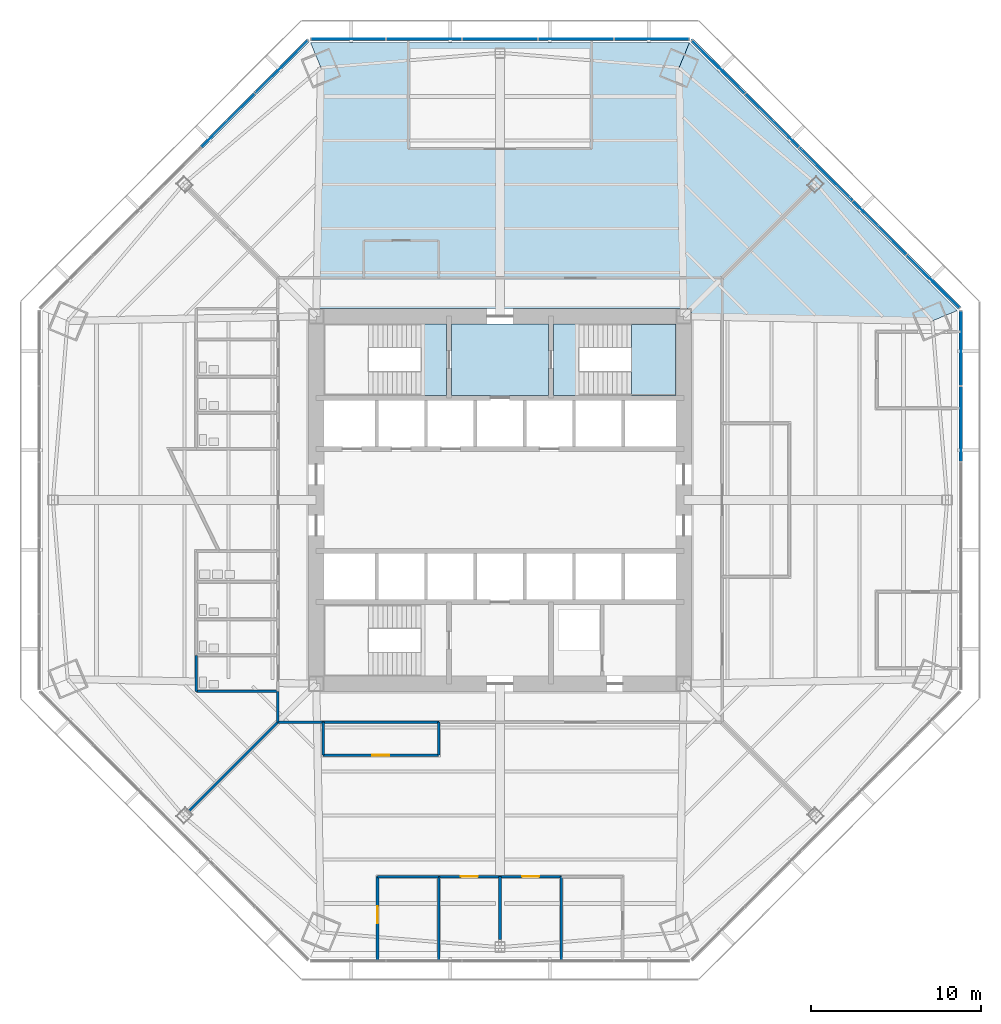
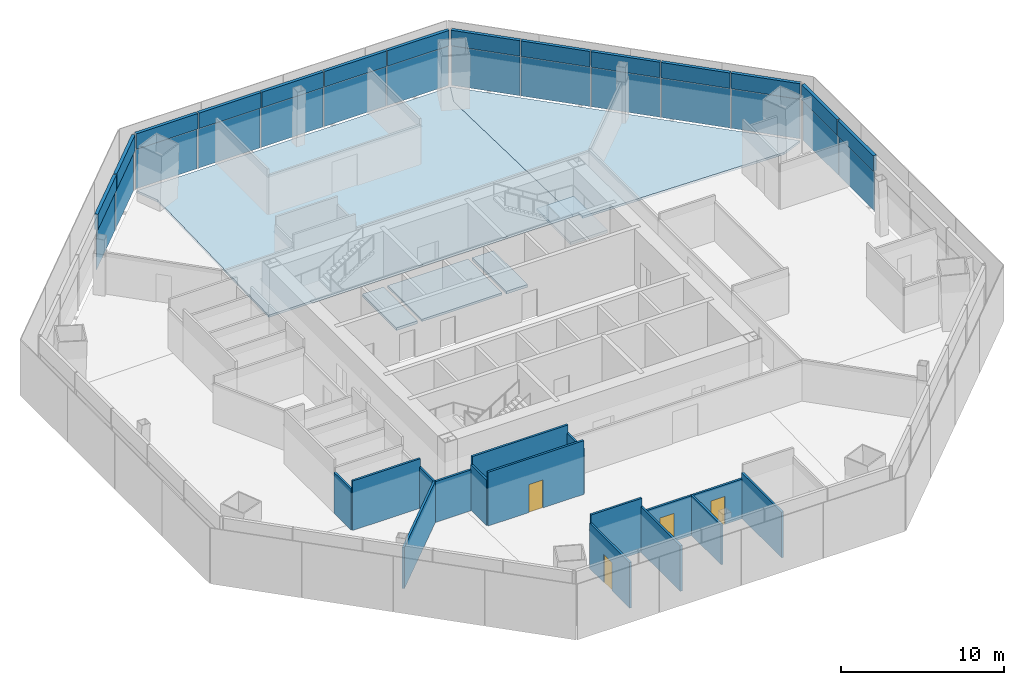
# One storey, part 8 of 14: 28 plates, 15 walls, 6 slabs, 4 doors, 4 openings, 6 elements without a shape of their own.
"""IFC4 building model written with IfcOpenShell, lengths in metres."""

from ifc_helpers import new_model, si_unit, direction, frame, frame_2d, origin, origin_2d, place, context, subcontext, project, spatial, polyline, rectangle, outline, extrude, source, transform, mapped, material, layer, layer_set, type_object, type_shapes, element, fill, aggregate, save


model = new_model("IFC4")

# Units and contexts
model_context = context("Model", 3, precision=1e-05, world=origin(), true_north=direction((0.0, 1.0)))
body_context = subcontext(model_context, "Body", "Model", "MODEL_VIEW")
ifc_project = project(units=[si_unit("LENGTHUNIT", "METRE"), si_unit("AREAUNIT", "SQUARE_METRE"), si_unit("VOLUMEUNIT", "CUBIC_METRE"), si_unit("PLANEANGLEUNIT", "RADIAN"), si_unit("MASSUNIT", "GRAM", prefix="KILO")], contexts=[model_context])

# Site, building, storey
site_placement = place(None, origin())
site = spatial("IfcSite", under=ifc_project, at=site_placement, CompositionType="ELEMENT")
building_placement = place(site_placement, origin())
building = spatial("IfcBuilding", under=site, at=building_placement, Name="Mashrafa Tower", CompositionType="ELEMENT")
storey_placement = place(building_placement, frame((0.0, 0.0, 33.0)))
storey = spatial("IfcBuildingStorey", under=building, at=storey_placement, Name="L06", CompositionType="ELEMENT", Elevation=33.0)

# Slabs
ifc_material_1 = material(Name="Concrete C35/45", Category="concrete")
ifc_layer_1 = layer(ifc_material_1, 0.1650390625)
ifc_layer_set_1 = layer_set([ifc_layer_1], Name="Floor slab 165")
slab_type_1 = type_object("IfcSlabType", Name="Floor slab 165", PredefinedType="FLOOR", material=ifc_layer_set_1)
slab_1_placement = place(storey_placement, frame((0.0, 0.0, -0.1650390625)))
element("IfcSlab", 1, at=slab_1_placement, inside=storey, type_object=slab_type_1, Name="Floor slab L06 north-east bay", PredefinedType="FLOOR", context=body_context, shape_type="SweptSolid", body=[
    extrude(outline(polyline([(26.881103515625, 11.134521484375), (25.40771484375, 10.524169921875), (11.25, 10.79150390625), (11.25, 11.25), (10.79150390625, 11.25), (10.524169921875, 25.40771484375), (11.134521484375, 26.881103515625), (26.881103515625, 11.134521484375)])), origin(), (0.0, 0.0, 1.0), 0.1650390625),
])
slab_2_placement = place(storey_placement, frame((0.0, 0.0, -0.1650390625)))
element("IfcSlab", 2, at=slab_2_placement, inside=storey, type_object=slab_type_1, Name="Floor slab L06 north bay", PredefinedType="FLOOR", context=body_context, shape_type="SweptSolid", body=[
    extrude(outline(polyline([(-11.134521484375, 26.881103515625), (11.134521484375, 26.881103515625), (11.134521484375, 26.881103515625), (10.524169921875, 25.40771484375), (10.79150390625, 11.25), (-10.79150390625, 11.25), (-10.524169921875, 25.40771484375), (-11.134521484375, 26.881103515625), (-11.134521484375, 26.881103515625)])), origin(), (0.0, 0.0, 1.0), 0.1650390625),
])
slab_3_placement = place(storey_placement, frame((0.0, 0.0, -0.1650390625)))
element("IfcSlab", 3, at=slab_3_placement, inside=storey, type_object=slab_type_1, Name="Core floor fire-fighting lobby north L06", PredefinedType="FLOOR", context=body_context, shape_type="SweptSolid", body=[
    extrude(outline(polyline([(-2.85009765625, 10.35009765625), (2.85009765625, 10.35009765625), (2.85009765625, 6.14990234375), (-2.85009765625, 6.14990234375), (-2.85009765625, 10.35009765625)])), origin(), (0.0, 0.0, 1.0), 0.1650390625),
])

# Stair, slab
ifc_material_2 = material(Name="Exit stair 1400")
stair_type = type_object("IfcStairType", Name="Exit stair 1400", PredefinedType="HALF_TURN_STAIR", material=ifc_material_2)
stair_1_placement = place(storey_placement, origin())
stair_1 = element("IfcStair", 4, at=stair_1_placement, inside=storey, type_object=stair_type, Name="Stair S1 L06", PredefinedType="HALF_TURN_STAIR")
ifc_material_3 = material(Name="Concrete C32/40", Category="concrete")
ifc_layer_2 = layer(ifc_material_3, 0.199951171875)
ifc_layer_set_2 = layer_set([ifc_layer_2], Name="Stair landing 200")
slab_type_2 = type_object("IfcSlabType", Name="Stair landing 200", PredefinedType="LANDING", material=ifc_layer_set_2)
slab_4_placement = place(storey_placement, frame((0.0, 0.0, -0.199951171875)))
slab_4 = element("IfcSlab", 5, at=slab_4_placement, type_object=slab_type_2, Name="S1 landing 1", PredefinedType="LANDING", context=body_context, shape_type="SweptSolid", body=[
    extrude(outline(polyline([(-4.659912109375, 6.14990234375), (-3.14990234375, 6.14990234375), (-3.14990234375, 10.35009765625), (-4.659912109375, 10.35009765625), (-4.659912109375, 6.14990234375)])), origin(), (0.0, 0.0, 1.0), 0.199951171875),
])
aggregate(stair_1, [slab_4])

# Stair, slabs
stair_2_placement = place(storey_placement, origin())
stair_2 = element("IfcStair", 6, at=stair_2_placement, inside=storey, type_object=stair_type, Name="Stair S2 L06", PredefinedType="HALF_TURN_STAIR")
slab_5_placement = place(storey_placement, frame((0.0, 0.0, -0.199951171875)))
slab_5 = element("IfcSlab", 7, at=slab_5_placement, type_object=slab_type_2, Name="S2 landing 1", PredefinedType="LANDING", context=body_context, shape_type="SweptSolid", body=[
    extrude(outline(polyline([(3.14990234375, 6.14990234375), (4.659912109375, 6.14990234375), (4.659912109375, 10.35009765625), (3.14990234375, 10.35009765625), (3.14990234375, 6.14990234375)])), origin(), (0.0, 0.0, 1.0), 0.199951171875),
])
slab_6_placement = place(storey_placement, frame((0.0, 0.0, 1.89990234375)))
slab_6 = element("IfcSlab", 8, at=slab_6_placement, type_object=slab_type_2, Name="S2 landing 2", PredefinedType="LANDING", context=body_context, shape_type="SweptSolid", body=[
    extrude(outline(polyline([(7.719970703125, 6.14990234375), (10.35009765625, 6.14990234375), (10.35009765625, 10.35009765625), (7.719970703125, 10.35009765625), (7.719970703125, 6.14990234375)])), origin(), (0.0, 0.0, 1.0), 0.2001953125),
])
aggregate(stair_2, [slab_5, slab_6])

# Curtain wall, plate
ifc_material_4 = material(Name="Unitised aluminium curtain wall", Category="aluminium")
curtain_wall_type = type_object("IfcCurtainWallType", Name="Office curtain wall, zone 1 CW-A 200 deep", PredefinedType="NOTDEFINED", material=ifc_material_4)
curtain_wall_1_placement = place(storey_placement, origin())
curtain_wall_1 = element("IfcCurtainWall", 9, at=curtain_wall_1_placement, inside=storey, type_object=curtain_wall_type, Name="Office curtain wall, zone 1 L06 east", PredefinedType="NOTDEFINED")
ifc_material_5 = material(Name="Insulated double glazing, low-e, neutral", Category="glass")
ifc_layer_3 = layer(ifc_material_5, 0.028076171875)
ifc_layer_set_3 = layer_set([ifc_layer_3], Name="Vision panel CW-A 28")
plate_type_1 = type_object("IfcPlateType", Name="Vision panel CW-A 28", PredefinedType="CURTAIN_PANEL", material=ifc_layer_set_3)
shared_shape_1 = source(origin(), body_context, "Body", "SweptSolid", [
    extrude(rectangle(XDim=4.368896484375, YDim=0.028076171875, at=origin_2d()), origin(), (0.0, 0.0, 1.0), 2.9599609375),
])
plate_1_placement = place(storey_placement, frame((27.081298828125, 8.91650390625, 0.0), z_axis=(0.0, 0.0, 1.0), x_axis=(0.0, 1.0, 0.0)))
plate_1 = element("IfcPlate", 10, at=plate_1_placement, type_object=plate_type_1, Name="CW-A vision panel 5", PredefinedType="CURTAIN_PANEL", context=body_context, shape_type="MappedRepresentation", body=[
    mapped(shared_shape_1, transform((0.0, 0.0, 0.0))),
])

# Curtain wall, plates
curtain_wall_2_placement = place(storey_placement, origin())
curtain_wall_2 = element("IfcCurtainWall", 11, at=curtain_wall_2_placement, inside=storey, type_object=curtain_wall_type, Name="Office curtain wall, zone 1 L06 north-east", PredefinedType="NOTDEFINED")
plate_2_placement = place(storey_placement, frame((25.454345703125, 12.84423828125, 0.0), z_axis=(0.0, 0.0, 1.0), x_axis=(-0.707106781187, 0.707106781187, 0.0)))
plate_2 = element("IfcPlate", 12, at=plate_2_placement, type_object=plate_type_1, Name="CW-A vision panel 1", PredefinedType="CURTAIN_PANEL", context=body_context, shape_type="MappedRepresentation", body=[
    mapped(shared_shape_1, transform((0.0, 0.0, 0.0))),
])
plate_3_placement = place(storey_placement, frame((12.84423828125, 25.454345703125, 0.0), z_axis=(0.0, 0.0, 1.0), x_axis=(-0.707106781187, 0.707106781187, 0.0)))
plate_3 = element("IfcPlate", 13, at=plate_3_placement, type_object=plate_type_1, Name="CW-A vision panel 5", PredefinedType="CURTAIN_PANEL", context=body_context, shape_type="MappedRepresentation", body=[
    mapped(shared_shape_1, transform((0.0, 0.0, 0.0))),
])

curtain_wall_3_placement = place(storey_placement, origin())
curtain_wall_3 = element("IfcCurtainWall", 14, at=curtain_wall_3_placement, inside=storey, type_object=curtain_wall_type, Name="Office curtain wall, zone 1 L06 north", PredefinedType="NOTDEFINED")
plate_4_placement = place(storey_placement, frame((8.91650390625, 27.081298828125, 0.0), z_axis=(0.0, 0.0, 1.0), x_axis=(-1.0, 0.0, 0.0)))
plate_4 = element("IfcPlate", 15, at=plate_4_placement, type_object=plate_type_1, Name="CW-A vision panel 1", PredefinedType="CURTAIN_PANEL", context=body_context, shape_type="MappedRepresentation", body=[
    mapped(shared_shape_1, transform((0.0, 0.0, 0.0))),
])
plate_5_placement = place(storey_placement, frame((-8.91650390625, 27.081298828125, 0.0), z_axis=(0.0, 0.0, 1.0), x_axis=(-1.0, 0.0, 0.0)))
plate_5 = element("IfcPlate", 16, at=plate_5_placement, type_object=plate_type_1, Name="CW-A vision panel 5", PredefinedType="CURTAIN_PANEL", context=body_context, shape_type="MappedRepresentation", body=[
    mapped(shared_shape_1, transform((0.0, 0.0, 0.0))),
])

# Curtain wall, plate
curtain_wall_4_placement = place(storey_placement, origin())
curtain_wall_4 = element("IfcCurtainWall", 17, at=curtain_wall_4_placement, inside=storey, type_object=curtain_wall_type, Name="Office curtain wall, zone 1 L06 north-west", PredefinedType="NOTDEFINED")
plate_6_placement = place(storey_placement, frame((-12.84423828125, 25.454345703125, 0.0), z_axis=(0.0, 0.0, 1.0), x_axis=(-0.707106781187, -0.707106781187, 0.0)))
plate_6 = element("IfcPlate", 18, at=plate_6_placement, type_object=plate_type_1, Name="CW-A vision panel 1", PredefinedType="CURTAIN_PANEL", context=body_context, shape_type="MappedRepresentation", body=[
    mapped(shared_shape_1, transform((0.0, 0.0, 0.0))),
])

# Plate
ifc_material_6 = material(Name="Insulated aluminium spandrel panel", Category="aluminium")
ifc_layer_4 = layer(ifc_material_6, 0.219970703125)
ifc_layer_set_4 = layer_set([ifc_layer_4], Name="Spandrel panel CW-A 220")
plate_type_2 = type_object("IfcPlateType", Name="Spandrel panel CW-A 220", PredefinedType="CURTAIN_PANEL", material=ifc_layer_set_4)
shared_shape_2 = source(origin(), body_context, "Body", "SweptSolid", [
    extrude(rectangle(XDim=4.368896484375, YDim=0.219970703125, at=origin_2d()), origin(), (0.0, 0.0, 1.0), 1.159912109375),
])
plate_7_placement = place(storey_placement, frame((27.081298828125, 8.91650390625, 3.0400390625), z_axis=(0.0, 0.0, 1.0), x_axis=(0.0, 1.0, 0.0)))
plate_7 = element("IfcPlate", 19, at=plate_7_placement, type_object=plate_type_2, Name="CW-A spandrel panel 5", PredefinedType="CURTAIN_PANEL", context=body_context, shape_type="MappedRepresentation", body=[
    mapped(shared_shape_2, transform((0.0, 0.0, 0.0))),
])

plate_8_placement = place(storey_placement, frame((25.454345703125, 12.84423828125, 3.0400390625), z_axis=(0.0, 0.0, 1.0), x_axis=(-0.707106781187, 0.707106781187, 0.0)))
plate_8 = element("IfcPlate", 20, at=plate_8_placement, type_object=plate_type_2, Name="CW-A spandrel panel 1", PredefinedType="CURTAIN_PANEL", context=body_context, shape_type="MappedRepresentation", body=[
    mapped(shared_shape_2, transform((0.0, 0.0, 0.0))),
])

plate_9_placement = place(storey_placement, frame((12.84423828125, 25.454345703125, 3.0400390625), z_axis=(0.0, 0.0, 1.0), x_axis=(-0.707106781187, 0.707106781187, 0.0)))
plate_9 = element("IfcPlate", 21, at=plate_9_placement, type_object=plate_type_2, Name="CW-A spandrel panel 5", PredefinedType="CURTAIN_PANEL", context=body_context, shape_type="MappedRepresentation", body=[
    mapped(shared_shape_2, transform((0.0, 0.0, 0.0))),
])

plate_10_placement = place(storey_placement, frame((8.91650390625, 27.081298828125, 3.0400390625), z_axis=(0.0, 0.0, 1.0), x_axis=(-1.0, 0.0, 0.0)))
plate_10 = element("IfcPlate", 22, at=plate_10_placement, type_object=plate_type_2, Name="CW-A spandrel panel 1", PredefinedType="CURTAIN_PANEL", context=body_context, shape_type="MappedRepresentation", body=[
    mapped(shared_shape_2, transform((0.0, 0.0, 0.0))),
])

plate_11_placement = place(storey_placement, frame((-8.91650390625, 27.081298828125, 3.0400390625), z_axis=(0.0, 0.0, 1.0), x_axis=(-1.0, 0.0, 0.0)))
plate_11 = element("IfcPlate", 23, at=plate_11_placement, type_object=plate_type_2, Name="CW-A spandrel panel 5", PredefinedType="CURTAIN_PANEL", context=body_context, shape_type="MappedRepresentation", body=[
    mapped(shared_shape_2, transform((0.0, 0.0, 0.0))),
])

plate_12_placement = place(storey_placement, frame((-12.84423828125, 25.454345703125, 3.0400390625), z_axis=(0.0, 0.0, 1.0), x_axis=(-0.707106781187, -0.707106781187, 0.0)))
plate_12 = element("IfcPlate", 24, at=plate_12_placement, type_object=plate_type_2, Name="CW-A spandrel panel 1", PredefinedType="CURTAIN_PANEL", context=body_context, shape_type="MappedRepresentation", body=[
    mapped(shared_shape_2, transform((0.0, 0.0, 0.0))),
])

shared_shape_3 = source(origin(), body_context, "Body", "SweptSolid", [
    extrude(rectangle(XDim=4.4013671875, YDim=0.028076171875, at=origin_2d()), origin(), (0.0, 0.0, 1.0), 2.9599609375),
])
type_shapes(plate_type_1, [shared_shape_1, shared_shape_3])
plate_13_placement = place(storey_placement, frame((27.081298828125, 4.46630859375, 0.0), z_axis=(0.0, 0.0, 1.0), x_axis=(0.0, 1.0, 0.0)))
plate_13 = element("IfcPlate", 25, at=plate_13_placement, type_object=plate_type_1, Name="CW-A vision panel 4", PredefinedType="CURTAIN_PANEL", context=body_context, shape_type="MappedRepresentation", body=[
    mapped(shared_shape_3, transform((0.0, 0.0, 0.0))),
])

plate_14_placement = place(storey_placement, frame((22.3076171875, 15.990966796875, 0.0), z_axis=(0.0, 0.0, 1.0), x_axis=(-0.707106781187, 0.707106781187, 0.0)))
plate_14 = element("IfcPlate", 26, at=plate_14_placement, type_object=plate_type_1, Name="CW-A vision panel 2", PredefinedType="CURTAIN_PANEL", context=body_context, shape_type="MappedRepresentation", body=[
    mapped(shared_shape_3, transform((0.0, 0.0, 0.0))),
])

plate_15_placement = place(storey_placement, frame((19.1494140625, 19.1494140625, 0.0), z_axis=(0.0, 0.0, 1.0), x_axis=(-0.707106781187, 0.707106781187, 0.0)))
plate_15 = element("IfcPlate", 27, at=plate_15_placement, type_object=plate_type_1, Name="CW-A vision panel 3", PredefinedType="CURTAIN_PANEL", context=body_context, shape_type="MappedRepresentation", body=[
    mapped(shared_shape_3, transform((0.0, 0.0, 0.0))),
])

plate_16_placement = place(storey_placement, frame((15.990966796875, 22.3076171875, 0.0), z_axis=(0.0, 0.0, 1.0), x_axis=(-0.707106781187, 0.707106781187, 0.0)))
plate_16 = element("IfcPlate", 28, at=plate_16_placement, type_object=plate_type_1, Name="CW-A vision panel 4", PredefinedType="CURTAIN_PANEL", context=body_context, shape_type="MappedRepresentation", body=[
    mapped(shared_shape_3, transform((0.0, 0.0, 0.0))),
])

plate_17_placement = place(storey_placement, frame((4.46630859375, 27.081298828125, 0.0), z_axis=(0.0, 0.0, 1.0), x_axis=(-1.0, 0.0, 0.0)))
plate_17 = element("IfcPlate", 29, at=plate_17_placement, type_object=plate_type_1, Name="CW-A vision panel 2", PredefinedType="CURTAIN_PANEL", context=body_context, shape_type="MappedRepresentation", body=[
    mapped(shared_shape_3, transform((0.0, 0.0, 0.0))),
])

plate_18_placement = place(storey_placement, frame((0.0, 27.081298828125, 0.0), z_axis=(0.0, 0.0, 1.0), x_axis=(-1.0, 0.0, 0.0)))
plate_18 = element("IfcPlate", 30, at=plate_18_placement, type_object=plate_type_1, Name="CW-A vision panel 3", PredefinedType="CURTAIN_PANEL", context=body_context, shape_type="MappedRepresentation", body=[
    mapped(shared_shape_3, transform((0.0, 0.0, 0.0))),
])

plate_19_placement = place(storey_placement, frame((-4.46630859375, 27.081298828125, 0.0), z_axis=(0.0, 0.0, 1.0), x_axis=(-1.0, 0.0, 0.0)))
plate_19 = element("IfcPlate", 31, at=plate_19_placement, type_object=plate_type_1, Name="CW-A vision panel 4", PredefinedType="CURTAIN_PANEL", context=body_context, shape_type="MappedRepresentation", body=[
    mapped(shared_shape_3, transform((0.0, 0.0, 0.0))),
])

plate_20_placement = place(storey_placement, frame((-15.990966796875, 22.3076171875, 0.0), z_axis=(0.0, 0.0, 1.0), x_axis=(-0.707106781187, -0.707106781187, 0.0)))
plate_20 = element("IfcPlate", 32, at=plate_20_placement, type_object=plate_type_1, Name="CW-A vision panel 2", PredefinedType="CURTAIN_PANEL", context=body_context, shape_type="MappedRepresentation", body=[
    mapped(shared_shape_3, transform((0.0, 0.0, 0.0))),
])

shared_shape_4 = source(origin(), body_context, "Body", "SweptSolid", [
    extrude(rectangle(XDim=4.4013671875, YDim=0.219970703125, at=origin_2d()), origin(), (0.0, 0.0, 1.0), 1.159912109375),
])
type_shapes(plate_type_2, [shared_shape_2, shared_shape_4])
plate_21_placement = place(storey_placement, frame((27.081298828125, 4.46630859375, 3.0400390625), z_axis=(0.0, 0.0, 1.0), x_axis=(0.0, 1.0, 0.0)))
plate_21 = element("IfcPlate", 33, at=plate_21_placement, type_object=plate_type_2, Name="CW-A spandrel panel 4", PredefinedType="CURTAIN_PANEL", context=body_context, shape_type="MappedRepresentation", body=[
    mapped(shared_shape_4, transform((0.0, 0.0, 0.0))),
])

aggregate(curtain_wall_1, [plate_13, plate_21, plate_1, plate_7])

plate_22_placement = place(storey_placement, frame((22.3076171875, 15.990966796875, 3.0400390625), z_axis=(0.0, 0.0, 1.0), x_axis=(-0.707106781187, 0.707106781187, 0.0)))
plate_22 = element("IfcPlate", 34, at=plate_22_placement, type_object=plate_type_2, Name="CW-A spandrel panel 2", PredefinedType="CURTAIN_PANEL", context=body_context, shape_type="MappedRepresentation", body=[
    mapped(shared_shape_4, transform((0.0, 0.0, 0.0))),
])

plate_23_placement = place(storey_placement, frame((19.1494140625, 19.1494140625, 3.0400390625), z_axis=(0.0, 0.0, 1.0), x_axis=(-0.707106781187, 0.707106781187, 0.0)))
plate_23 = element("IfcPlate", 35, at=plate_23_placement, type_object=plate_type_2, Name="CW-A spandrel panel 3", PredefinedType="CURTAIN_PANEL", context=body_context, shape_type="MappedRepresentation", body=[
    mapped(shared_shape_4, transform((0.0, 0.0, 0.0))),
])

plate_24_placement = place(storey_placement, frame((15.990966796875, 22.3076171875, 3.0400390625), z_axis=(0.0, 0.0, 1.0), x_axis=(-0.707106781187, 0.707106781187, 0.0)))
plate_24 = element("IfcPlate", 36, at=plate_24_placement, type_object=plate_type_2, Name="CW-A spandrel panel 4", PredefinedType="CURTAIN_PANEL", context=body_context, shape_type="MappedRepresentation", body=[
    mapped(shared_shape_4, transform((0.0, 0.0, 0.0))),
])

aggregate(curtain_wall_2, [plate_2, plate_8, plate_14, plate_22, plate_15, plate_23, plate_16, plate_24, plate_3, plate_9])

plate_25_placement = place(storey_placement, frame((4.46630859375, 27.081298828125, 3.0400390625), z_axis=(0.0, 0.0, 1.0), x_axis=(-1.0, 0.0, 0.0)))
plate_25 = element("IfcPlate", 37, at=plate_25_placement, type_object=plate_type_2, Name="CW-A spandrel panel 2", PredefinedType="CURTAIN_PANEL", context=body_context, shape_type="MappedRepresentation", body=[
    mapped(shared_shape_4, transform((0.0, 0.0, 0.0))),
])

plate_26_placement = place(storey_placement, frame((0.0, 27.081298828125, 3.0400390625), z_axis=(0.0, 0.0, 1.0), x_axis=(-1.0, 0.0, 0.0)))
plate_26 = element("IfcPlate", 38, at=plate_26_placement, type_object=plate_type_2, Name="CW-A spandrel panel 3", PredefinedType="CURTAIN_PANEL", context=body_context, shape_type="MappedRepresentation", body=[
    mapped(shared_shape_4, transform((0.0, 0.0, 0.0))),
])

plate_27_placement = place(storey_placement, frame((-4.46630859375, 27.081298828125, 3.0400390625), z_axis=(0.0, 0.0, 1.0), x_axis=(-1.0, 0.0, 0.0)))
plate_27 = element("IfcPlate", 39, at=plate_27_placement, type_object=plate_type_2, Name="CW-A spandrel panel 4", PredefinedType="CURTAIN_PANEL", context=body_context, shape_type="MappedRepresentation", body=[
    mapped(shared_shape_4, transform((0.0, 0.0, 0.0))),
])

aggregate(curtain_wall_3, [plate_4, plate_10, plate_17, plate_25, plate_18, plate_26, plate_19, plate_27, plate_5, plate_11])

plate_28_placement = place(storey_placement, frame((-15.990966796875, 22.3076171875, 3.0400390625), z_axis=(0.0, 0.0, 1.0), x_axis=(-0.707106781187, -0.707106781187, 0.0)))
plate_28 = element("IfcPlate", 40, at=plate_28_placement, type_object=plate_type_2, Name="CW-A spandrel panel 2", PredefinedType="CURTAIN_PANEL", context=body_context, shape_type="MappedRepresentation", body=[
    mapped(shared_shape_4, transform((0.0, 0.0, 0.0))),
])

aggregate(curtain_wall_4, [plate_6, plate_12, plate_20, plate_28])

# Walls
ifc_material_7 = material(Name="Gypsum board on steel studs", Category="steel")
ifc_layer_5 = layer(ifc_material_7, 0.14990234375)
ifc_layer_set_5 = layer_set([ifc_layer_5], Name="Corridor partition 150 1 hr")
wall_type_1 = type_object("IfcWallType", Name="Corridor partition 150 1 hr", PredefinedType="PARTITIONING", material=ifc_layer_set_5)
wall_1_placement = place(storey_placement, frame((-10.40087890625, -13.050048828125, 0.0), z_axis=(0.0, 0.0, 1.0), x_axis=(1.0, 0.0, 0.0)))
element("IfcWall", 41, at=wall_1_placement, inside=storey, type_object=wall_type_1, Name="Corridor wall L06-012", PredefinedType="PARTITIONING", context=body_context, shape_type="SweptSolid", body=[
    extrude(rectangle(XDim=6.8017578125, YDim=0.14990234375, at=frame_2d((3.40087890625, 0.0))), origin(), (0.0, 0.0, 1.0), 4.034912109375),
])
wall_2_placement = place(storey_placement, frame((-13.050048828125, -13.050048828125, 0.0), z_axis=(0.0, 0.0, 1.0), x_axis=(1.0, 0.0, 0.0)))
element("IfcWall", 42, at=wall_2_placement, inside=storey, type_object=wall_type_1, Name="Corridor wall L06-017", PredefinedType="PARTITIONING", context=body_context, shape_type="SweptSolid", body=[
    extrude(rectangle(XDim=2.651123046875, YDim=0.14990234375, at=frame_2d((1.32568359375, 0.0))), origin(), (0.0, 0.0, 1.0), 3.06494140625),
])
wall_3_placement = place(storey_placement, frame((-13.050048828125, -11.2490234375, 0.0), z_axis=(0.0, 0.0, 1.0), x_axis=(0.0, -1.0, 0.0)))
element("IfcWall", 43, at=wall_3_placement, inside=storey, type_object=wall_type_1, Name="Corridor wall L06-019", PredefinedType="PARTITIONING", context=body_context, shape_type="SweptSolid", body=[
    extrude(rectangle(XDim=1.801025390625, YDim=0.14990234375, at=frame_2d((0.900390625, 0.0))), origin(), (0.0, 0.0, 1.0), 3.097900390625),
])
ifc_material_8 = material(Name="Gypsum board on steel studs", Category="steel")
ifc_layer_6 = layer(ifc_material_8, 0.14990234375)
ifc_layer_set_6 = layer_set([ifc_layer_6], Name="Partition 150")
wall_type_2 = type_object("IfcWallType", Name="Partition 150", PredefinedType="PARTITIONING", material=ifc_layer_set_6)
wall_4_placement = place(storey_placement, frame((-17.85009765625, -9.125, 0.0), z_axis=(0.0, 0.0, 1.0), x_axis=(0.0, -1.0, 0.0)))
element("IfcWall", 44, at=wall_4_placement, inside=storey, type_object=wall_type_2, Name="Partition wall L06-031", PredefinedType="PARTITIONING", context=body_context, shape_type="SweptSolid", body=[
    extrude(rectangle(XDim=2.125, YDim=0.14990234375, at=frame_2d((1.0625, 0.0))), origin(), (0.0, 0.0, 1.0), 3.06494140625),
])
wall_5_placement = place(storey_placement, frame((-17.85009765625, -11.25, 0.0), z_axis=(0.0, 0.0, 1.0), x_axis=(1.0, 0.0, 0.0)))
element("IfcWall", 45, at=wall_5_placement, inside=storey, type_object=wall_type_2, Name="Partition wall L06-032", PredefinedType="PARTITIONING", context=body_context, shape_type="SweptSolid", body=[
    extrude(rectangle(XDim=4.800048828125, YDim=0.14990234375, at=frame_2d((2.39990234375, 0.0))), origin(), (0.0, 0.0, 1.0), 3.715087890625),
])
wall_6_placement = place(storey_placement, frame((-10.39990234375, -13.050048828125, 0.0), z_axis=(0.0, 0.0, 1.0), x_axis=(0.0, -1.0, 0.0)))
element("IfcWall", 46, at=wall_6_placement, inside=storey, type_object=wall_type_2, Name="Partition wall L06-051", PredefinedType="PARTITIONING", context=body_context, shape_type="SweptSolid", body=[
    extrude(rectangle(XDim=1.949951171875, YDim=0.14990234375, at=frame_2d((0.97509765625, 0.0))), origin(), (0.0, 0.0, 1.0), 3.425537109375),
])

# Wall, opening, door
wall_7_placement = place(storey_placement, frame((-10.39990234375, -15.0, 0.0), z_axis=(0.0, 0.0, 1.0), x_axis=(1.0, 0.0, 0.0)))
wall_7 = element("IfcWall", 47, at=wall_7_placement, inside=storey, type_object=wall_type_2, Name="Partition wall L06-052", PredefinedType="PARTITIONING", context=body_context, shape_type="SweptSolid", body=[
    extrude(rectangle(XDim=6.7998046875, YDim=0.14990234375, at=frame_2d((3.39990234375, 0.0))), origin(), (0.0, 0.0, 1.0), 4.034912109375),
])
opening_1_placement = place(wall_7_placement, frame((2.89990234375, 0.0, 0.0)))
opening_1 = element("IfcOpeningElement", 48, at=opening_1_placement, cuts=wall_7, Name="Opening 06.013", PredefinedType="OPENING", context=body_context, shape_type="SweptSolid", body=[
    extrude(rectangle(XDim=1.0, YDim=2.10009765625, at=frame_2d((0.5, 1.050048828125))), frame((0.0, 0.0849609375, 0.0), z_axis=(0.0, -1.0, 0.0), x_axis=(1.0, 0.0, 0.0)), (0.0, 0.0, 1.0), 0.169921875),
])
ifc_material_9 = material(Name="Timber door", Category="wood")
door_type = type_object("IfcDoorType", Name="Door 1000 x 2100", OperationType="USERDEFINED", PredefinedType="DOOR", material=ifc_material_9)
door_1_placement = place(opening_1_placement, origin())
door_1 = element("IfcDoor", 49, at=door_1_placement, inside=storey, type_object=door_type, Name="Copy and Print Room 06 door", OperationType="SINGLE_SWING_LEFT", OverallHeight=2.10009765625, OverallWidth=1.0, PredefinedType="DOOR", context=body_context, shape_type="SweptSolid", body=[
    extrude(rectangle(XDim=1.0, YDim=2.10009765625, at=frame_2d((0.5, 1.050048828125))), frame((0.0, 0.02490234375, 0.0), z_axis=(0.0, -1.0, 0.0), x_axis=(1.0, 0.0, 0.0)), (0.0, 0.0, 1.0), 0.050048828125),
])
fill(opening_1, door_1)

# Walls
wall_8_placement = place(storey_placement, frame((-3.60009765625, -15.0, 0.0), z_axis=(0.0, 0.0, 1.0), x_axis=(0.0, 1.0, 0.0)))
element("IfcWall", 50, at=wall_8_placement, inside=storey, type_object=wall_type_2, Name="Partition wall L06-053", PredefinedType="PARTITIONING", context=body_context, shape_type="SweptSolid", body=[
    extrude(rectangle(XDim=1.949951171875, YDim=0.14990234375, at=frame_2d((0.97509765625, 0.0))), origin(), (0.0, 0.0, 1.0), 3.425537109375),
])
wall_9_placement = place(storey_placement, frame((-3.60009765625, -27.063232421875, 0.0), z_axis=(0.0, 0.0, 1.0), x_axis=(0.0, 1.0, 0.0)))
element("IfcWall", 51, at=wall_9_placement, inside=storey, type_object=wall_type_2, Name="Partition wall L06-054", PredefinedType="PARTITIONING", context=body_context, shape_type="SweptSolid", body=[
    extrude(rectangle(XDim=4.93212890625, YDim=0.14990234375, at=frame_2d((2.466064453125, 0.0))), origin(), (0.0, 0.0, 1.0), 3.423095703125),
])
wall_10_placement = place(storey_placement, frame((-3.60009765625, -22.131103515625, 0.0), z_axis=(0.0, 0.0, 1.0), x_axis=(-1.0, 0.0, 0.0)))
element("IfcWall", 52, at=wall_10_placement, inside=storey, type_object=wall_type_2, Name="Partition wall L06-055", PredefinedType="PARTITIONING", context=body_context, shape_type="SweptSolid", body=[
    extrude(rectangle(XDim=3.599853515625, YDim=0.14990234375, at=frame_2d((1.7998046875, 0.0))), origin(), (0.0, 0.0, 1.0), 4.034912109375),
])

# Wall, opening, door
wall_11_placement = place(storey_placement, frame((-7.199951171875, -22.131103515625, 0.0), z_axis=(0.0, 0.0, 1.0), x_axis=(0.0, -1.0, 0.0)))
wall_11 = element("IfcWall", 53, at=wall_11_placement, inside=storey, type_object=wall_type_2, Name="Partition wall L06-056", PredefinedType="PARTITIONING", context=body_context, shape_type="SweptSolid", body=[
    extrude(rectangle(XDim=4.93408203125, YDim=0.14990234375, at=frame_2d((2.467041015625, 0.0))), origin(), (0.0, 0.0, 1.0), 3.423095703125),
])
opening_2_placement = place(wall_11_placement, frame((1.75, 0.0, 0.0)))
opening_2 = element("IfcOpeningElement", 54, at=opening_2_placement, cuts=wall_11, Name="Opening 06.014", PredefinedType="OPENING", context=body_context, shape_type="SweptSolid", body=[
    extrude(rectangle(XDim=1.0, YDim=2.10009765625, at=frame_2d((0.5, 1.050048828125))), frame((0.0, 0.0849609375, 0.0), z_axis=(0.0, -1.0, 0.0), x_axis=(1.0, 0.0, 0.0)), (0.0, 0.0, 1.0), 0.169921875),
])
door_2_placement = place(opening_2_placement, origin())
door_2 = element("IfcDoor", 55, at=door_2_placement, inside=storey, type_object=door_type, Name="Executive Office 06-1 door", OperationType="SINGLE_SWING_RIGHT", OverallHeight=2.10009765625, OverallWidth=1.0, PredefinedType="DOOR", context=body_context, shape_type="SweptSolid", body=[
    extrude(rectangle(XDim=1.0, YDim=2.10009765625, at=frame_2d((0.5, 1.050048828125))), frame((0.0, 0.02490234375, 0.0), z_axis=(0.0, -1.0, 0.0), x_axis=(1.0, 0.0, 0.0)), (0.0, 0.0, 1.0), 0.050048828125),
])
fill(opening_2, door_2)

# Wall
wall_12_placement = place(storey_placement, frame((0.0, -25.84326171875, 0.0), z_axis=(0.0, 0.0, 1.0), x_axis=(0.0, 1.0, 0.0)))
element("IfcWall", 56, at=wall_12_placement, inside=storey, type_object=wall_type_2, Name="Partition wall L06-057", PredefinedType="PARTITIONING", context=body_context, shape_type="SweptSolid", body=[
    extrude(rectangle(XDim=3.712158203125, YDim=0.14990234375, at=frame_2d((1.85595703125, 0.0))), origin(), (0.0, 0.0, 1.0), 2.983642578125),
])

# Wall, openings, doors
wall_13_placement = place(storey_placement, frame((-3.60009765625, -22.131103515625, 0.0), z_axis=(0.0, 0.0, 1.0), x_axis=(1.0, 0.0, 0.0)))
wall_13 = element("IfcWall", 57, at=wall_13_placement, inside=storey, type_object=wall_type_2, Name="Partition wall L06-058", PredefinedType="PARTITIONING", context=body_context, shape_type="SweptSolid", body=[
    extrude(rectangle(XDim=7.2001953125, YDim=0.14990234375, at=frame_2d((3.60009765625, 0.0))), origin(), (0.0, 0.0, 1.0), 2.983642578125),
])
opening_3_placement = place(wall_13_placement, frame((1.300048828125, 0.0, 0.0)))
opening_3 = element("IfcOpeningElement", 58, at=opening_3_placement, cuts=wall_13, Name="Opening 06.015", PredefinedType="OPENING", context=body_context, shape_type="SweptSolid", body=[
    extrude(rectangle(XDim=1.0, YDim=2.10009765625, at=frame_2d((0.5, 1.050048828125))), frame((0.0, 0.0849609375, 0.0), z_axis=(0.0, -1.0, 0.0), x_axis=(1.0, 0.0, 0.0)), (0.0, 0.0, 1.0), 0.169921875),
])
opening_4_placement = place(wall_13_placement, frame((4.89990234375, 0.0, 0.0)))
opening_4 = element("IfcOpeningElement", 59, at=opening_4_placement, cuts=wall_13, Name="Opening 06.016", PredefinedType="OPENING", context=body_context, shape_type="SweptSolid", body=[
    extrude(rectangle(XDim=1.0, YDim=2.10009765625, at=frame_2d((0.5, 1.050048828125))), frame((0.0, 0.0849609375, 0.0), z_axis=(0.0, -1.0, 0.0), x_axis=(1.0, 0.0, 0.0)), (0.0, 0.0, 1.0), 0.169921875),
])
door_3_placement = place(opening_3_placement, frame((1.0, 0.0, 0.0), z_axis=(0.0, 0.0, 1.0), x_axis=(-1.0, 0.0, 0.0)))
door_3 = element("IfcDoor", 60, at=door_3_placement, inside=storey, type_object=door_type, Name="Executive Office 06-2 door", OperationType="SINGLE_SWING_RIGHT", OverallHeight=2.10009765625, OverallWidth=1.0, PredefinedType="DOOR", context=body_context, shape_type="SweptSolid", body=[
    extrude(rectangle(XDim=1.0, YDim=2.10009765625, at=frame_2d((0.5, 1.050048828125))), frame((0.0, 0.02490234375, 0.0), z_axis=(0.0, -1.0, 0.0), x_axis=(1.0, 0.0, 0.0)), (0.0, 0.0, 1.0), 0.050048828125),
])
fill(opening_3, door_3)
door_4_placement = place(opening_4_placement, frame((1.0, 0.0, 0.0), z_axis=(0.0, 0.0, 1.0), x_axis=(-1.0, 0.0, 0.0)))
door_4 = element("IfcDoor", 61, at=door_4_placement, inside=storey, type_object=door_type, Name="Executive Office 06-3 door", OperationType="SINGLE_SWING_RIGHT", OverallHeight=2.10009765625, OverallWidth=1.0, PredefinedType="DOOR", context=body_context, shape_type="SweptSolid", body=[
    extrude(rectangle(XDim=1.0, YDim=2.10009765625, at=frame_2d((0.5, 1.050048828125))), frame((0.0, 0.02490234375, 0.0), z_axis=(0.0, -1.0, 0.0), x_axis=(1.0, 0.0, 0.0)), (0.0, 0.0, 1.0), 0.050048828125),
])
fill(opening_4, door_4)

# Walls
wall_14_placement = place(storey_placement, frame((3.60009765625, -27.063232421875, 0.0), z_axis=(0.0, 0.0, 1.0), x_axis=(0.0, 1.0, 0.0)))
element("IfcWall", 62, at=wall_14_placement, inside=storey, type_object=wall_type_2, Name="Partition wall L06-059", PredefinedType="PARTITIONING", context=body_context, shape_type="SweptSolid", body=[
    extrude(rectangle(XDim=4.93212890625, YDim=0.14990234375, at=frame_2d((2.466064453125, 0.0))), origin(), (0.0, 0.0, 1.0), 3.423095703125),
])
wall_15_placement = place(storey_placement, frame((-13.050048828125, -13.050048828125, 0.0), z_axis=(0.0, 0.0, 1.0), x_axis=(-0.707106781187, -0.707106781187, 0.0)))
element("IfcWall", 63, at=wall_15_placement, inside=storey, type_object=wall_type_2, Name="Partition wall L06-074", PredefinedType="PARTITIONING", context=body_context, shape_type="SweptSolid", body=[
    extrude(rectangle(XDim=7.3876953125, YDim=0.14990234375, at=frame_2d((3.69384765625, 0.0))), origin(), (0.0, 0.0, 1.0), 3.097900390625),
])

save(model, "model.ifc")
